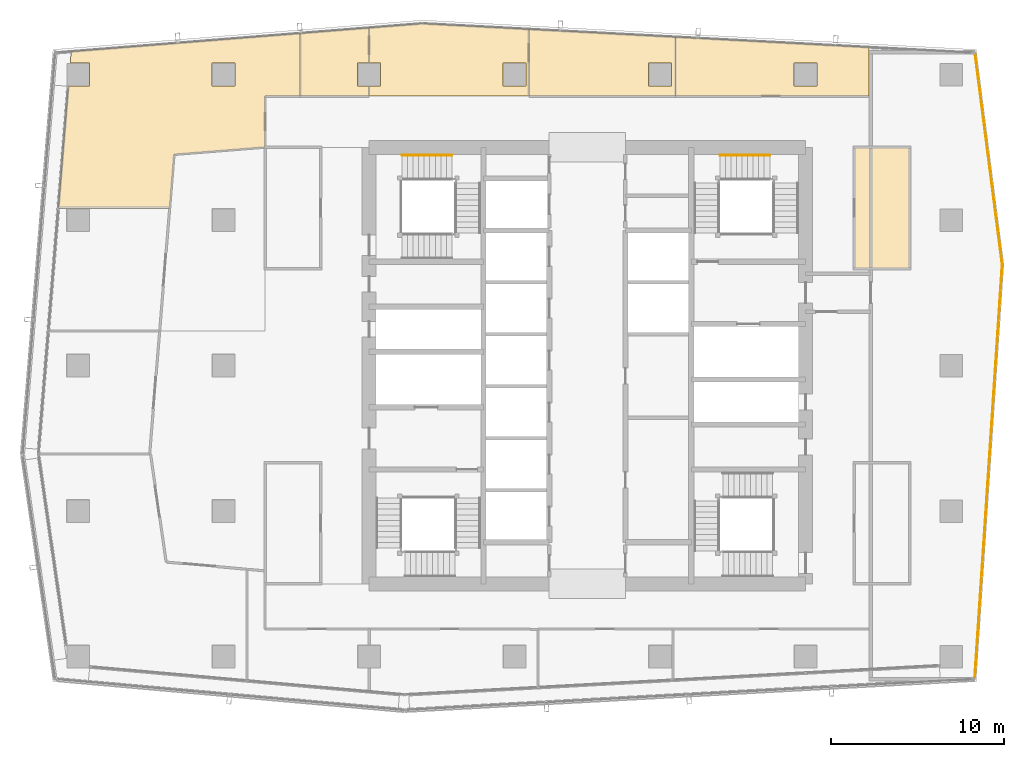
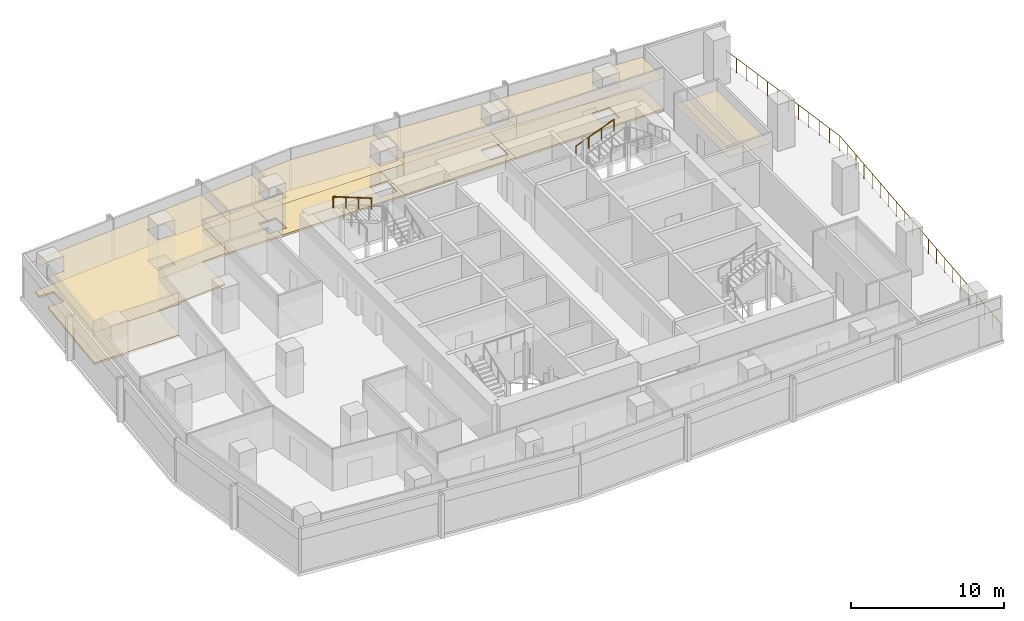
# One storey, part 26 of 26: 11 coverings, 3 railings.
"""IFC4 building model written with IfcOpenShell, lengths in metres."""

from ifc_helpers import new_model, si_unit, direction, frame, origin, origin_2d, place, context, subcontext, project, spatial, polyline, circle, outline, extrude, material, layer, layer_set, type_object, element, save


model = new_model("IFC4")

# Units and contexts
model_context = context("Model", 3, precision=1e-05, world=origin(), true_north=direction((0.0, 1.0)))
body_context = subcontext(model_context, "Body", "Model", "MODEL_VIEW")
ifc_project = project(units=[si_unit("LENGTHUNIT", "METRE"), si_unit("AREAUNIT", "SQUARE_METRE"), si_unit("VOLUMEUNIT", "CUBIC_METRE"), si_unit("PLANEANGLEUNIT", "RADIAN"), si_unit("MASSUNIT", "GRAM", prefix="KILO")], contexts=[model_context])

# Site, building, storey
site_placement = place(None, origin())
site = spatial("IfcSite", under=ifc_project, at=site_placement, CompositionType="ELEMENT")
building_placement = place(site_placement, origin())
building = spatial("IfcBuilding", under=site, at=building_placement, Name="Rekha Terrace Tower", CompositionType="ELEMENT")
storey_placement = place(building_placement, frame((0.0, 0.0, 283.85009765625)))
storey = spatial("IfcBuildingStorey", under=building, at=storey_placement, Name="L72", CompositionType="ELEMENT", Elevation=283.85009765625)

# Coverings
ifc_material_1 = material(Name="Mineral fibre tile in exposed grid", Category="finish")
ifc_layer_1 = layer(ifc_material_1, 0.02001953125)
ifc_layer_set_1 = layer_set([ifc_layer_1], Name="Mineral fibre tile in exposed grid")
covering_type_1 = type_object("IfcCoveringType", Name="CL1 600x1200 office grid ceiling", PredefinedType="CEILING", material=ifc_layer_set_1)
covering_1_placement = place(storey_placement, frame((0.0, 0.0, 2.579833984375)))
element("IfcCovering", 1, at=covering_1_placement, inside=storey, type_object=covering_type_1, Name="Ceiling L72-03", PredefinedType="CEILING", context=body_context, shape_type="SweptSolid", body=[
    extrude(outline(polyline([(54.049072265625, 49.14990234375), (54.049072265625, 51.97900390625), (42.889892578125, 52.572998046875), (42.889892578125, 49.14990234375), (54.049072265625, 49.14990234375)]), holes=[polyline([(51.06494140625, 51.06494140625), (51.06494140625, 49.735107421875), (49.735107421875, 49.735107421875), (49.735107421875, 51.06494140625), (51.06494140625, 51.06494140625)])]), origin(), (0.0, 0.0, 1.0), 0.02001953125),
])
covering_2_placement = place(storey_placement, frame((0.0, 0.0, 2.579833984375)))
element("IfcCovering", 2, at=covering_2_placement, inside=storey, type_object=covering_type_1, Name="Ceiling L72-04", PredefinedType="CEILING", context=body_context, shape_type="SweptSolid", body=[
    extrude(outline(polyline([(42.888916015625, 49.14990234375), (42.888916015625, 52.572998046875), (34.41796875, 53.02294921875), (34.41796875, 49.14990234375), (42.888916015625, 49.14990234375)]), holes=[polyline([(42.6650390625, 49.735107421875), (41.3349609375, 49.735107421875), (41.3349609375, 51.06494140625), (42.6650390625, 51.06494140625), (42.6650390625, 49.735107421875)])]), origin(), (0.0, 0.0, 1.0), 0.02001953125),
])
covering_3_placement = place(storey_placement, frame((0.0, 0.0, 2.579833984375)))
element("IfcCovering", 3, at=covering_3_placement, inside=storey, type_object=covering_type_1, Name="Ceiling L72-05", PredefinedType="CEILING", context=body_context, shape_type="SweptSolid", body=[
    extrude(outline(polyline([(25.205078125, 51.06494140625), (25.205078125, 53.10498046875), (21.22705078125, 52.7880859375), (21.22705078125, 49.14990234375), (25.205078125, 49.14990234375), (25.205078125, 49.735107421875), (24.534912109375, 49.735107421875), (24.534912109375, 51.06494140625), (25.205078125, 51.06494140625)])), origin(), (0.0, 0.0, 1.0), 0.02001953125),
])
covering_4_placement = place(storey_placement, frame((0.0, 0.0, 2.579833984375)))
element("IfcCovering", 4, at=covering_4_placement, inside=storey, type_object=covering_type_1, Name="Ceiling L72-06", PredefinedType="CEILING", context=body_context, shape_type="SweptSolid", body=[
    extrude(outline(polyline([(7.26611328125, 42.656982421875), (7.735107421875, 42.656982421875), (7.735107421875, 42.6650390625), (9.06494140625, 42.6650390625), (9.06494140625, 42.656982421875), (13.68701171875, 42.656982421875), (13.94091796875, 45.785888671875), (19.199951171875, 46.2060546875), (19.199951171875, 49.14990234375), (21.22607421875, 49.14990234375), (21.22607421875, 52.7880859375), (8.00390625, 51.73291015625), (7.949951171875, 51.06494140625), (9.06494140625, 51.06494140625), (9.06494140625, 49.735107421875), (7.842041015625, 49.735107421875), (7.26611328125, 42.656982421875)]), holes=[polyline([(17.465087890625, 49.735107421875), (16.135009765625, 49.735107421875), (16.135009765625, 51.06494140625), (17.465087890625, 51.06494140625), (17.465087890625, 49.735107421875)])]), origin(), (0.0, 0.0, 1.0), 0.02001953125),
])
covering_5_placement = place(storey_placement, frame((0.0, 0.0, 2.579833984375)))
element("IfcCovering", 5, at=covering_5_placement, inside=storey, type_object=covering_type_1, Name="Ceiling L72-O2", PredefinedType="CEILING", context=body_context, shape_type="SweptSolid", body=[
    extrude(outline(polyline([(25.205078125, 49.735107421875), (25.205078125, 49.14990234375), (34.41796875, 49.14990234375), (34.41796875, 53.02294921875), (28.27294921875, 53.35009765625), (25.205078125, 53.10498046875), (25.205078125, 51.06494140625), (25.864990234375, 51.06494140625), (25.864990234375, 49.735107421875), (25.205078125, 49.735107421875)]), holes=[polyline([(34.264892578125, 49.735107421875), (32.93505859375, 49.735107421875), (32.93505859375, 51.06494140625), (34.264892578125, 51.06494140625), (34.264892578125, 49.735107421875)])]), origin(), (0.0, 0.0, 1.0), 0.02001953125),
])
ifc_material_2 = material(Name="Fibre cement board", Category="finish")
ifc_layer_2 = layer(ifc_material_2, 0.014892578125)
ifc_layer_set_2 = layer_set([ifc_layer_2], Name="Fibre cement board")
covering_type_2 = type_object("IfcCoveringType", Name="CL2 moisture-resistant board ceiling", PredefinedType="CEILING", material=ifc_layer_set_2)
covering_6_placement = place(storey_placement, frame((0.0, 0.0, 2.5849609375)))
element("IfcCovering", 6, at=covering_6_placement, inside=storey, type_object=covering_type_2, Name="Ceiling L72-WCF", PredefinedType="CEILING", context=body_context, shape_type="SweptSolid", body=[
    extrude(outline(polyline([(56.39990234375, 46.199951171875), (53.199951171875, 46.199951171875), (53.199951171875, 39.199951171875), (56.39990234375, 39.199951171875), (56.39990234375, 46.199951171875)])), origin(), (0.0, 0.0, 1.0), 0.014892578125),
])

# Railings
ifc_material_3 = material(Name="Steel guard with vertical balusters", Category="steel")
railing_type_1 = type_object("IfcRailingType", Name="GR2 refuge area guard 1200", PredefinedType="GUARDRAIL", material=ifc_material_3)
railing_1_placement = place(storey_placement, frame((60.1669921875, 15.60205078125, 0.0)))
element("IfcRailing", 7, at=railing_1_placement, inside=storey, type_object=railing_type_1, Name="Refuge area guard L72", PredefinedType="GUARDRAIL", context=body_context, shape_type="SweptSolid", body=[
    extrude(circle(Radius=0.02392578125, at=origin_2d()), frame((0.0, 0.0, 1.17578125), z_axis=(0.066269376293, 0.997801768773, 0.0), x_axis=(-0.997801768773, 0.066269376293, 0.0)), (0.0, 0.0, 1.0), 23.887451171875),
    extrude(circle(Radius=0.02392578125, at=origin_2d()), frame((1.5830078125, 23.8349609375, 1.17578125), z_axis=(-0.12789867767, 0.991787239407, 0.0), x_axis=(-0.991787239407, -0.12789867767, 0.0)), (0.0, 0.0, 1.0), 12.260498046875),
    extrude(circle(Radius=0.02099609375, at=origin_2d()), origin(), (0.0, 0.0, 1.0), 1.15185546875),
    extrude(circle(Radius=0.02099609375, at=origin_2d()), frame((0.0791015625, 1.191650390625, 0.0)), (0.0, 0.0, 1.0), 1.15185546875),
    extrude(circle(Radius=0.02099609375, at=origin_2d()), frame((0.158203125, 2.383544921875, 0.0)), (0.0, 0.0, 1.0), 1.15185546875),
    extrude(circle(Radius=0.02099609375, at=origin_2d()), frame((0.237548828125, 3.5751953125, 0.0)), (0.0, 0.0, 1.0), 1.15185546875),
    extrude(circle(Radius=0.02099609375, at=origin_2d()), frame((0.316650390625, 4.76708984375, 0.0)), (0.0, 0.0, 1.0), 1.15185546875),
    extrude(circle(Radius=0.02099609375, at=origin_2d()), frame((0.395751953125, 5.958740234375, 0.0)), (0.0, 0.0, 1.0), 1.15185546875),
    extrude(circle(Radius=0.02099609375, at=origin_2d()), frame((0.474853515625, 7.150390625, 0.0)), (0.0, 0.0, 1.0), 1.15185546875),
    extrude(circle(Radius=0.02099609375, at=origin_2d()), frame((0.553955078125, 8.34228515625, 0.0)), (0.0, 0.0, 1.0), 1.15185546875),
    extrude(circle(Radius=0.02099609375, at=origin_2d()), frame((0.63330078125, 9.533935546875, 0.0)), (0.0, 0.0, 1.0), 1.15185546875),
    extrude(circle(Radius=0.02099609375, at=origin_2d()), frame((0.71240234375, 10.725830078125, 0.0)), (0.0, 0.0, 1.0), 1.15185546875),
    extrude(circle(Radius=0.02099609375, at=origin_2d()), frame((0.79150390625, 11.91748046875, 0.0)), (0.0, 0.0, 1.0), 1.15185546875),
    extrude(circle(Radius=0.02099609375, at=origin_2d()), frame((0.87060546875, 13.109130859375, 0.0)), (0.0, 0.0, 1.0), 1.15185546875),
    extrude(circle(Radius=0.02099609375, at=origin_2d()), frame((0.94970703125, 14.301025390625, 0.0)), (0.0, 0.0, 1.0), 1.15185546875),
    extrude(circle(Radius=0.02099609375, at=origin_2d()), frame((1.029052734375, 15.49267578125, 0.0)), (0.0, 0.0, 1.0), 1.15185546875),
    extrude(circle(Radius=0.02099609375, at=origin_2d()), frame((1.108154296875, 16.6845703125, 0.0)), (0.0, 0.0, 1.0), 1.15185546875),
    extrude(circle(Radius=0.02099609375, at=origin_2d()), frame((1.187255859375, 17.876220703125, 0.0)), (0.0, 0.0, 1.0), 1.15185546875),
    extrude(circle(Radius=0.02099609375, at=origin_2d()), frame((1.266357421875, 19.06787109375, 0.0)), (0.0, 0.0, 1.0), 1.15185546875),
    extrude(circle(Radius=0.02099609375, at=origin_2d()), frame((1.345458984375, 20.259765625, 0.0)), (0.0, 0.0, 1.0), 1.15185546875),
    extrude(circle(Radius=0.02099609375, at=origin_2d()), frame((1.4248046875, 21.451416015625, 0.0)), (0.0, 0.0, 1.0), 1.15185546875),
    extrude(circle(Radius=0.02099609375, at=origin_2d()), frame((1.50390625, 22.643310546875, 0.0)), (0.0, 0.0, 1.0), 1.15185546875),
    extrude(circle(Radius=0.02099609375, at=origin_2d()), frame((1.5830078125, 23.8349609375, 0.0)), (0.0, 0.0, 1.0), 1.15185546875),
    extrude(circle(Radius=0.02099609375, at=origin_2d()), frame((1.4404296875, 24.9404296875, 0.0)), (0.0, 0.0, 1.0), 1.15185546875),
    extrude(circle(Radius=0.02099609375, at=origin_2d()), frame((1.2978515625, 26.0458984375, 0.0)), (0.0, 0.0, 1.0), 1.15185546875),
    extrude(circle(Radius=0.02099609375, at=origin_2d()), frame((1.1552734375, 27.1513671875, 0.0)), (0.0, 0.0, 1.0), 1.15185546875),
    extrude(circle(Radius=0.02099609375, at=origin_2d()), frame((1.0126953125, 28.2568359375, 0.0)), (0.0, 0.0, 1.0), 1.15185546875),
    extrude(circle(Radius=0.02099609375, at=origin_2d()), frame((0.8701171875, 29.3623046875, 0.0)), (0.0, 0.0, 1.0), 1.15185546875),
    extrude(circle(Radius=0.02099609375, at=origin_2d()), frame((0.727783203125, 30.467529296875, 0.0)), (0.0, 0.0, 1.0), 1.15185546875),
    extrude(circle(Radius=0.02099609375, at=origin_2d()), frame((0.585205078125, 31.572998046875, 0.0)), (0.0, 0.0, 1.0), 1.15185546875),
    extrude(circle(Radius=0.02099609375, at=origin_2d()), frame((0.442626953125, 32.678466796875, 0.0)), (0.0, 0.0, 1.0), 1.15185546875),
    extrude(circle(Radius=0.02099609375, at=origin_2d()), frame((0.300048828125, 33.783935546875, 0.0)), (0.0, 0.0, 1.0), 1.15185546875),
    extrude(circle(Radius=0.02099609375, at=origin_2d()), frame((0.157470703125, 34.889404296875, 0.0)), (0.0, 0.0, 1.0), 1.15185546875),
    extrude(circle(Radius=0.02099609375, at=origin_2d()), frame((0.014892578125, 35.994873046875, 0.0)), (0.0, 0.0, 1.0), 1.15185546875),
])
ifc_material_4 = material(Name="Stainless steel tube", Category="steel")
railing_type_2 = type_object("IfcRailingType", Name="HR1 900 stair handrail", PredefinedType="HANDRAIL", material=ifc_material_4)
railing_2_placement = place(storey_placement, frame((45.449951171875, 45.739990234375, 1.375)))
element("IfcRailing", 8, at=railing_2_placement, inside=storey, type_object=railing_type_2, Name="Handrail ST2 L72 flight 2", PredefinedType="HANDRAIL", context=body_context, shape_type="SweptSolid", body=[
    extrude(circle(Radius=0.02392578125, at=origin_2d()), frame((0.0, 0.0, 0.8759765625), z_axis=(0.931462784923, 0.0, 0.363836612098), x_axis=(0.0, 1.0, 0.0)), (0.0, 0.0, 1.0), 3.092041015625),
    extrude(circle(Radius=0.02099609375, at=origin_2d()), origin(), (0.0, 0.0, 1.0), 0.851806640625),
    extrude(circle(Radius=0.02099609375, at=origin_2d()), frame((0.9599609375, 0.0, 0.375)), (0.0, 0.0, 1.0), 0.851806640625),
    extrude(circle(Radius=0.02099609375, at=origin_2d()), frame((1.920166015625, 0.0, 0.75)), (0.0, 0.0, 1.0), 0.851806640625),
    extrude(circle(Radius=0.02099609375, at=origin_2d()), frame((2.880126953125, 0.0, 1.125)), (0.0, 0.0, 1.0), 0.851806640625),
])
railing_3_placement = place(storey_placement, frame((29.97998046875, 45.739990234375, 2.625)))
element("IfcRailing", 9, at=railing_3_placement, inside=storey, type_object=railing_type_2, Name="Handrail ST4 L72 flight 3", PredefinedType="HANDRAIL", context=body_context, shape_type="SweptSolid", body=[
    extrude(circle(Radius=0.02392578125, at=origin_2d()), frame((0.0, 0.0, 0.8759765625), z_axis=(-0.931452331594, 0.0, 0.363863372667), x_axis=(0.0, -1.0, 0.0)), (0.0, 0.0, 1.0), 3.091796875),
    extrude(circle(Radius=0.02099609375, at=origin_2d()), origin(), (0.0, 0.0, 1.0), 0.851806640625),
    extrude(circle(Radius=0.02099609375, at=origin_2d()), frame((-0.9599609375, 0.0, 0.375)), (0.0, 0.0, 1.0), 0.851806640625),
    extrude(circle(Radius=0.02099609375, at=origin_2d()), frame((-1.919921875, 0.0, 0.75)), (0.0, 0.0, 1.0), 0.851806640625),
    extrude(circle(Radius=0.02099609375, at=origin_2d()), frame((-2.8798828125, 0.0, 1.125)), (0.0, 0.0, 1.0), 0.851806640625),
])

# Coverings
ifc_material_5 = material(Name="Calcium sulphate panels on steel pedestals", Category="steel")
ifc_layer_3 = layer(ifc_material_5, 0.14990234375)
ifc_layer_set_3 = layer_set([ifc_layer_3], Name="Calcium sulphate panels on steel pedestals")
covering_type_3 = type_object("IfcCoveringType", Name="RF1 150 raised access floor", PredefinedType="FLOORING", material=ifc_layer_set_3)
covering_7_placement = place(storey_placement, origin())
element("IfcCovering", 10, at=covering_7_placement, inside=storey, type_object=covering_type_3, Name="Raised floor L72-03", PredefinedType="FLOORING", context=body_context, shape_type="SweptSolid", body=[
    extrude(outline(polyline([(54.049072265625, 49.14990234375), (54.049072265625, 51.97900390625), (42.889892578125, 52.572998046875), (42.889892578125, 49.14990234375), (54.049072265625, 49.14990234375)]), holes=[polyline([(51.06494140625, 51.06494140625), (51.06494140625, 49.735107421875), (49.735107421875, 49.735107421875), (49.735107421875, 51.06494140625), (51.06494140625, 51.06494140625)])]), origin(), (0.0, 0.0, 1.0), 0.14990234375),
])
covering_8_placement = place(storey_placement, origin())
element("IfcCovering", 11, at=covering_8_placement, inside=storey, type_object=covering_type_3, Name="Raised floor L72-04", PredefinedType="FLOORING", context=body_context, shape_type="SweptSolid", body=[
    extrude(outline(polyline([(42.888916015625, 49.14990234375), (42.888916015625, 52.572998046875), (34.41796875, 53.02294921875), (34.41796875, 49.14990234375), (42.888916015625, 49.14990234375)]), holes=[polyline([(42.6650390625, 49.735107421875), (41.3349609375, 49.735107421875), (41.3349609375, 51.06494140625), (42.6650390625, 51.06494140625), (42.6650390625, 49.735107421875)])]), origin(), (0.0, 0.0, 1.0), 0.14990234375),
])
covering_9_placement = place(storey_placement, origin())
element("IfcCovering", 12, at=covering_9_placement, inside=storey, type_object=covering_type_3, Name="Raised floor L72-05", PredefinedType="FLOORING", context=body_context, shape_type="SweptSolid", body=[
    extrude(outline(polyline([(25.205078125, 51.06494140625), (25.205078125, 53.10498046875), (21.22705078125, 52.7880859375), (21.22705078125, 49.14990234375), (25.205078125, 49.14990234375), (25.205078125, 49.735107421875), (24.534912109375, 49.735107421875), (24.534912109375, 51.06494140625), (25.205078125, 51.06494140625)])), origin(), (0.0, 0.0, 1.0), 0.14990234375),
])
covering_10_placement = place(storey_placement, origin())
element("IfcCovering", 13, at=covering_10_placement, inside=storey, type_object=covering_type_3, Name="Raised floor L72-06", PredefinedType="FLOORING", context=body_context, shape_type="SweptSolid", body=[
    extrude(outline(polyline([(7.26611328125, 42.656982421875), (7.735107421875, 42.656982421875), (7.735107421875, 42.6650390625), (9.06494140625, 42.6650390625), (9.06494140625, 42.656982421875), (13.68701171875, 42.656982421875), (13.94091796875, 45.785888671875), (19.199951171875, 46.2060546875), (19.199951171875, 49.14990234375), (21.22607421875, 49.14990234375), (21.22607421875, 52.7880859375), (8.00390625, 51.73291015625), (7.949951171875, 51.06494140625), (9.06494140625, 51.06494140625), (9.06494140625, 49.735107421875), (7.842041015625, 49.735107421875), (7.26611328125, 42.656982421875)]), holes=[polyline([(17.465087890625, 49.735107421875), (16.135009765625, 49.735107421875), (16.135009765625, 51.06494140625), (17.465087890625, 51.06494140625), (17.465087890625, 49.735107421875)])]), origin(), (0.0, 0.0, 1.0), 0.14990234375),
])
covering_11_placement = place(storey_placement, origin())
element("IfcCovering", 14, at=covering_11_placement, inside=storey, type_object=covering_type_3, Name="Raised floor L72-O2", PredefinedType="FLOORING", context=body_context, shape_type="SweptSolid", body=[
    extrude(outline(polyline([(25.205078125, 49.735107421875), (25.205078125, 49.14990234375), (34.41796875, 49.14990234375), (34.41796875, 53.02294921875), (28.27294921875, 53.35009765625), (25.205078125, 53.10498046875), (25.205078125, 51.06494140625), (25.864990234375, 51.06494140625), (25.864990234375, 49.735107421875), (25.205078125, 49.735107421875)]), holes=[polyline([(34.264892578125, 49.735107421875), (32.93505859375, 49.735107421875), (32.93505859375, 51.06494140625), (34.264892578125, 51.06494140625), (34.264892578125, 49.735107421875)])]), origin(), (0.0, 0.0, 1.0), 0.14990234375),
])

save(model, "model.ifc")
